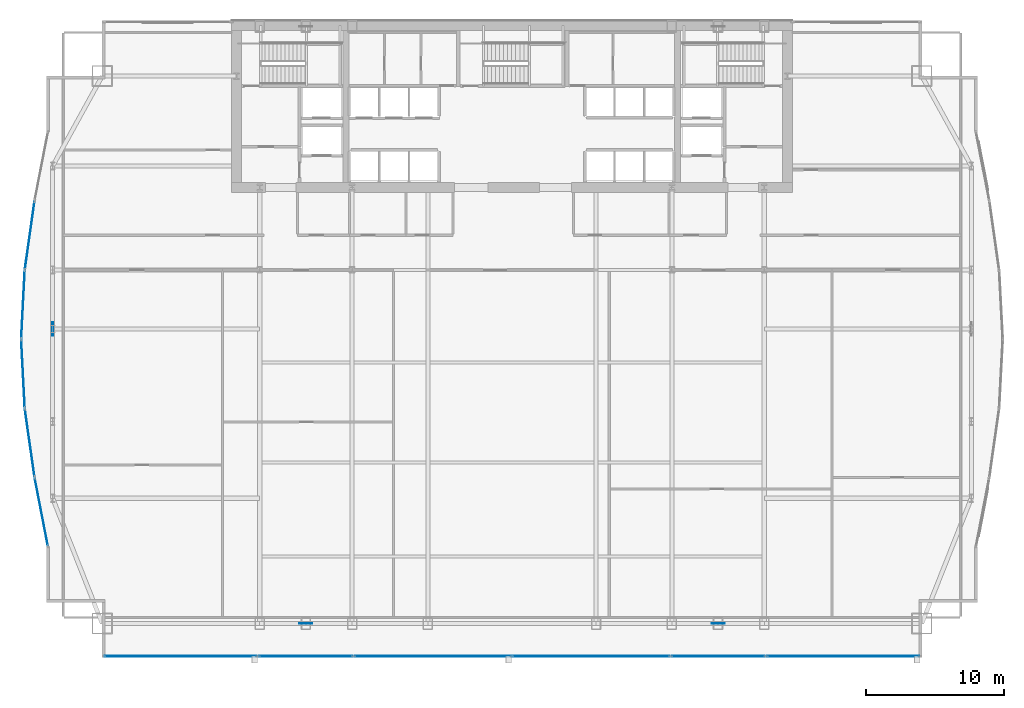
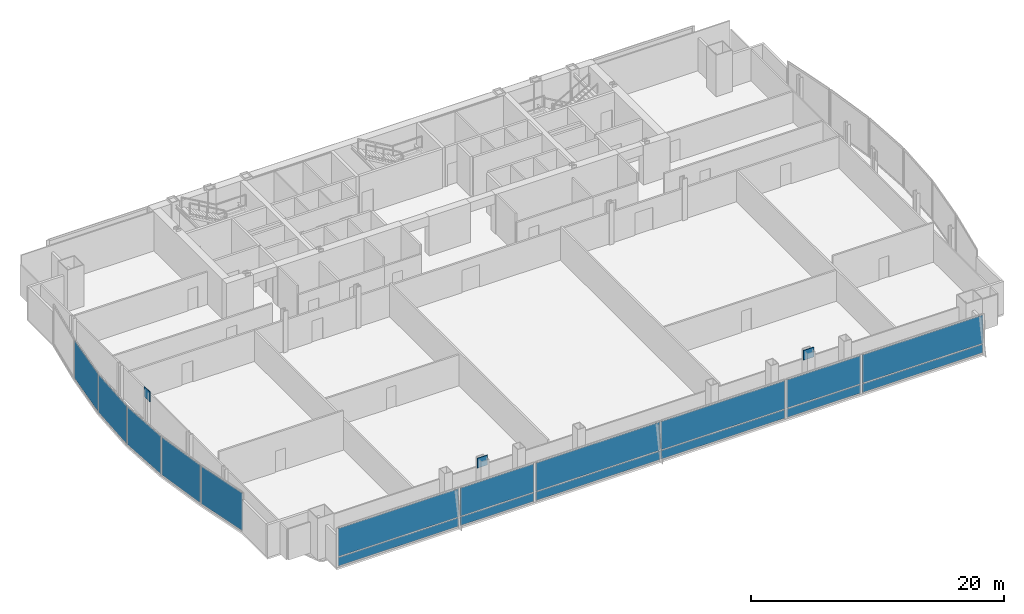
# One storey, part 25 of 34: 20 plates, 10 elements without a shape of their own.
"""IFC4 building model written with IfcOpenShell, lengths in metres."""

from ifc_helpers import new_model, si_unit, direction, frame, origin, origin_2d, place, context, subcontext, project, spatial, rectangle, extrude, material, layer, layer_set, type_object, element, aggregate, save


model = new_model("IFC4")

# Units and contexts
model_context = context("Model", 3, precision=1e-05, world=origin(), true_north=direction((0.0, 1.0)))
body_context = subcontext(model_context, "Body", "Model", "MODEL_VIEW")
ifc_project = project(units=[si_unit("LENGTHUNIT", "METRE"), si_unit("AREAUNIT", "SQUARE_METRE"), si_unit("VOLUMEUNIT", "CUBIC_METRE"), si_unit("PLANEANGLEUNIT", "RADIAN"), si_unit("MASSUNIT", "GRAM", prefix="KILO")], contexts=[model_context])

# Site, building, storey
site_placement = place(None, origin())
site = spatial("IfcSite", under=ifc_project, at=site_placement, CompositionType="ELEMENT")
building_placement = place(site_placement, origin())
building = spatial("IfcBuilding", under=site, at=building_placement, Name="Khoronbel Lancet Exchange", CompositionType="ELEMENT")
storey_placement = place(building_placement, frame((0.0, 0.0, 102.60009765625)))
storey = spatial("IfcBuildingStorey", under=building, at=storey_placement, Name="L24", CompositionType="ELEMENT", Elevation=102.60009765625)

# Curtain wall, plate
ifc_material_1 = material(Name="Low-E Solar Control Insulating Glass", Category="glass")
curtain_wall_type_1 = type_object("IfcCurtainWallType", Name="CW-4", PredefinedType="NOTDEFINED", material=ifc_material_1)
curtain_wall_1_placement = place(storey_placement, origin())
curtain_wall_1 = element("IfcCurtainWall", 1, at=curtain_wall_1_placement, inside=storey, type_object=curtain_wall_type_1, Name="Unitised curtain wall CW-L24-E05", PredefinedType="NOTDEFINED")
ifc_material_2 = material(Name="Bronze-Anodised Aluminium 6063-T6", Category="aluminium")
ifc_layer_1 = layer(ifc_material_2, 0.050048828125, Name="Bronze-Anodised Aluminium 6063-T6")
ifc_layer_set_1 = layer_set([ifc_layer_1], Name="Bronze-Anodised Aluminium 6063-T6")
plate_type_1 = type_object("IfcPlateType", Name="PLT-CSP1", PredefinedType="SHEET", material=ifc_layer_set_1)
plate_1_placement = place(storey_placement, frame((1.6142578125, 23.2119140625, 0.0849609375), z_axis=(0.0, 0.0, 1.0), x_axis=(-0.1406052742, 0.990065733609, 0.0)))
plate_1 = element("IfcPlate", 2, at=plate_1_placement, type_object=plate_type_1, Name="CW4 panel 1.1", PredefinedType="CURTAIN_PANEL", context=body_context, shape_type="SweptSolid", body=[
    extrude(rectangle(XDim=4.893798828125, YDim=0.0380859375, at=origin_2d()), origin(), (0.0, 0.0, 1.0), 3.6298828125),
])
aggregate(curtain_wall_1, [plate_1])

curtain_wall_2_placement = place(storey_placement, origin())
curtain_wall_2 = element("IfcCurtainWall", 3, at=curtain_wall_2_placement, inside=storey, type_object=curtain_wall_type_1, Name="Unitised curtain wall CW-L24-E06", PredefinedType="NOTDEFINED")
plate_2_placement = place(storey_placement, frame((1.1298828125, 28.204345703125, 0.0849609375), z_axis=(0.0, 0.0, 1.0), x_axis=(-0.051920340209, 0.998651229545, 0.0)))
plate_2 = element("IfcPlate", 4, at=plate_2_placement, type_object=plate_type_1, Name="CW4 panel 1.1", PredefinedType="CURTAIN_PANEL", context=body_context, shape_type="SweptSolid", body=[
    extrude(rectangle(XDim=4.84814453125, YDim=0.0380859375, at=origin_2d()), origin(), (0.0, 0.0, 1.0), 3.6298828125),
])
aggregate(curtain_wall_2, [plate_2])

curtain_wall_3_placement = place(storey_placement, origin())
curtain_wall_3 = element("IfcCurtainWall", 5, at=curtain_wall_3_placement, inside=storey, type_object=curtain_wall_type_1, Name="Unitised curtain wall CW-L24-E07", PredefinedType="NOTDEFINED")
plate_3_placement = place(storey_placement, frame((1.1298828125, 33.195556640625, 0.0849609375), z_axis=(0.0, 0.0, 1.0), x_axis=(0.051920340209, 0.998651229545, 0.0)))
plate_3 = element("IfcPlate", 6, at=plate_3_placement, type_object=plate_type_1, Name="CW4 panel 1.1", PredefinedType="CURTAIN_PANEL", context=body_context, shape_type="SweptSolid", body=[
    extrude(rectangle(XDim=4.84814453125, YDim=0.0380859375, at=origin_2d()), origin(), (0.0, 0.0, 1.0), 3.6298828125),
])
aggregate(curtain_wall_3, [plate_3])

curtain_wall_4_placement = place(storey_placement, origin())
curtain_wall_4 = element("IfcCurtainWall", 7, at=curtain_wall_4_placement, inside=storey, type_object=curtain_wall_type_1, Name="Unitised curtain wall CW-L24-E08", PredefinedType="NOTDEFINED")
plate_4_placement = place(storey_placement, frame((1.6142578125, 38.188232421875, 0.0849609375), z_axis=(0.0, 0.0, 1.0), x_axis=(0.1406052742, 0.990065733609, 0.0)))
plate_4 = element("IfcPlate", 8, at=plate_4_placement, type_object=plate_type_1, Name="CW4 panel 1.1", PredefinedType="CURTAIN_PANEL", context=body_context, shape_type="SweptSolid", body=[
    extrude(rectangle(XDim=4.893798828125, YDim=0.0380859375, at=origin_2d()), origin(), (0.0, 0.0, 1.0), 3.6298828125),
])
aggregate(curtain_wall_4, [plate_4])

# Curtain wall, plates
curtain_wall_type_2 = type_object("IfcCurtainWallType", Name="CW-2", PredefinedType="NOTDEFINED", material=ifc_material_1)
curtain_wall_5_placement = place(storey_placement, origin())
curtain_wall_5 = element("IfcCurtainWall", 9, at=curtain_wall_5_placement, inside=storey, type_object=curtain_wall_type_2, Name="Unitised curtain wall CW-L24-SWB", PredefinedType="NOTDEFINED")
plate_5_placement = place(storey_placement, frame((21.550048828125, 7.7900390625, 0.0849609375), z_axis=(0.0, 0.0, 1.0), x_axis=(1.0, 0.0, 0.0)))
plate_5 = element("IfcPlate", 10, at=plate_5_placement, type_object=plate_type_1, Name="CW2 panel 1.1", PredefinedType="CURTAIN_PANEL", context=body_context, shape_type="SweptSolid", body=[
    extrude(rectangle(XDim=6.72998046875, YDim=0.0380859375, at=origin_2d()), origin(), (0.0, 0.0, 1.0), 0.822509765625),
])
plate_6_placement = place(storey_placement, frame((21.550048828125, 7.7900390625, 0.99267578125), z_axis=(0.0, 0.0, 1.0), x_axis=(1.0, 0.0, 0.0)))
plate_6 = element("IfcPlate", 11, at=plate_6_placement, type_object=plate_type_1, Name="CW2 panel 1.2", PredefinedType="CURTAIN_PANEL", context=body_context, shape_type="SweptSolid", body=[
    extrude(rectangle(XDim=6.72998046875, YDim=0.0380859375, at=origin_2d()), origin(), (0.0, 0.0, 1.0), 2.722412109375),
])
aggregate(curtain_wall_5, [plate_5, plate_6])

curtain_wall_6_placement = place(storey_placement, origin())
curtain_wall_6 = element("IfcCurtainWall", 12, at=curtain_wall_6_placement, inside=storey, type_object=curtain_wall_type_2, Name="Unitised curtain wall CW-L24-SEB", PredefinedType="NOTDEFINED")
plate_7_placement = place(storey_placement, frame((51.35009765625, 7.7900390625, 0.0849609375), z_axis=(0.0, 0.0, 1.0), x_axis=(1.0, 0.0, 0.0)))
plate_7 = element("IfcPlate", 13, at=plate_7_placement, type_object=plate_type_1, Name="CW2 panel 1.1", PredefinedType="CURTAIN_PANEL", context=body_context, shape_type="SweptSolid", body=[
    extrude(rectangle(XDim=6.72998046875, YDim=0.0380859375, at=origin_2d()), origin(), (0.0, 0.0, 1.0), 0.822509765625),
])
plate_8_placement = place(storey_placement, frame((51.35009765625, 7.7900390625, 0.99267578125), z_axis=(0.0, 0.0, 1.0), x_axis=(1.0, 0.0, 0.0)))
plate_8 = element("IfcPlate", 14, at=plate_8_placement, type_object=plate_type_1, Name="CW2 panel 1.2", PredefinedType="CURTAIN_PANEL", context=body_context, shape_type="SweptSolid", body=[
    extrude(rectangle(XDim=6.72998046875, YDim=0.0380859375, at=origin_2d()), origin(), (0.0, 0.0, 1.0), 2.722412109375),
])
aggregate(curtain_wall_6, [plate_7, plate_8])

curtain_wall_7_placement = place(storey_placement, origin())
curtain_wall_7 = element("IfcCurtainWall", 15, at=curtain_wall_7_placement, inside=storey, type_object=curtain_wall_type_2, Name="Unitised curtain wall CW-L24-SWV", PredefinedType="NOTDEFINED")
ifc_layer_2 = layer(ifc_material_1, 0.035888671875, Name="Low-E Solar Control Insulating Glass")
ifc_layer_set_2 = layer_set([ifc_layer_2], Name="Low-E Solar Control Insulating Glass")
plate_type_2 = type_object("IfcPlateType", Name="PLT-CWP1", PredefinedType="CURTAIN_PANEL", material=ifc_layer_set_2)
plate_9_placement = place(storey_placement, frame((12.52001953125, 7.7900390625, 0.0849609375), z_axis=(0.0, 0.0, 1.0), x_axis=(1.0, 0.0, 0.0)))
plate_9 = element("IfcPlate", 16, at=plate_9_placement, type_object=plate_type_2, Name="CW2 panel 1.1", PredefinedType="CURTAIN_PANEL", context=body_context, shape_type="SweptSolid", body=[
    extrude(rectangle(XDim=10.989990234375, YDim=0.0380859375, at=origin_2d()), origin(), (0.0, 0.0, 1.0), 0.822509765625),
])
plate_10_placement = place(storey_placement, frame((12.52001953125, 7.7900390625, 0.99267578125), z_axis=(0.0, 0.0, 1.0), x_axis=(1.0, 0.0, 0.0)))
plate_10 = element("IfcPlate", 17, at=plate_10_placement, type_object=plate_type_2, Name="CW2 panel 1.2", PredefinedType="CURTAIN_PANEL", context=body_context, shape_type="SweptSolid", body=[
    extrude(rectangle(XDim=10.989990234375, YDim=0.0380859375, at=origin_2d()), origin(), (0.0, 0.0, 1.0), 2.722412109375),
])
aggregate(curtain_wall_7, [plate_9, plate_10])

curtain_wall_8_placement = place(storey_placement, origin())
curtain_wall_8 = element("IfcCurtainWall", 18, at=curtain_wall_8_placement, inside=storey, type_object=curtain_wall_type_2, Name="Unitised curtain wall CW-L24-SCV", PredefinedType="NOTDEFINED")
plate_11_placement = place(storey_placement, frame((30.746337890625, 7.7900390625, 0.0849609375), z_axis=(0.0, 0.0, 1.0), x_axis=(1.0, 0.0, 0.0)))
plate_11 = element("IfcPlate", 19, at=plate_11_placement, type_object=plate_type_2, Name="CW2 panel 1.1", PredefinedType="CURTAIN_PANEL", context=body_context, shape_type="SweptSolid", body=[
    extrude(rectangle(XDim=11.322509765625, YDim=0.0380859375, at=origin_2d()), origin(), (0.0, 0.0, 1.0), 0.822509765625),
])
plate_12_placement = place(storey_placement, frame((30.746337890625, 7.7900390625, 0.99267578125), z_axis=(0.0, 0.0, 1.0), x_axis=(1.0, 0.0, 0.0)))
plate_12 = element("IfcPlate", 20, at=plate_12_placement, type_object=plate_type_2, Name="CW2 panel 1.2", PredefinedType="CURTAIN_PANEL", context=body_context, shape_type="SweptSolid", body=[
    extrude(rectangle(XDim=11.322509765625, YDim=0.0380859375, at=origin_2d()), origin(), (0.0, 0.0, 1.0), 2.722412109375),
])
plate_13_placement = place(storey_placement, frame((42.15380859375, 7.7900390625, 0.0849609375), z_axis=(0.0, 0.0, 1.0), x_axis=(1.0, 0.0, 0.0)))
plate_13 = element("IfcPlate", 21, at=plate_13_placement, type_object=plate_type_2, Name="CW2 panel 2.1", PredefinedType="CURTAIN_PANEL", context=body_context, shape_type="SweptSolid", body=[
    extrude(rectangle(XDim=11.322509765625, YDim=0.0380859375, at=origin_2d()), origin(), (0.0, 0.0, 1.0), 0.822509765625),
])
plate_14_placement = place(storey_placement, frame((42.15380859375, 7.7900390625, 0.99267578125), z_axis=(0.0, 0.0, 1.0), x_axis=(1.0, 0.0, 0.0)))
plate_14 = element("IfcPlate", 22, at=plate_14_placement, type_object=plate_type_2, Name="CW2 panel 2.2", PredefinedType="CURTAIN_PANEL", context=body_context, shape_type="SweptSolid", body=[
    extrude(rectangle(XDim=11.322509765625, YDim=0.0380859375, at=origin_2d()), origin(), (0.0, 0.0, 1.0), 2.722412109375),
])
aggregate(curtain_wall_8, [plate_11, plate_12, plate_13, plate_14])

curtain_wall_9_placement = place(storey_placement, origin())
curtain_wall_9 = element("IfcCurtainWall", 23, at=curtain_wall_9_placement, inside=storey, type_object=curtain_wall_type_2, Name="Unitised curtain wall CW-L24-SEV", PredefinedType="NOTDEFINED")
plate_15_placement = place(storey_placement, frame((60.3798828125, 7.7900390625, 0.0849609375), z_axis=(0.0, 0.0, 1.0), x_axis=(1.0, 0.0, 0.0)))
plate_15 = element("IfcPlate", 24, at=plate_15_placement, type_object=plate_type_2, Name="CW2 panel 1.1", PredefinedType="CURTAIN_PANEL", context=body_context, shape_type="SweptSolid", body=[
    extrude(rectangle(XDim=10.989990234375, YDim=0.0380859375, at=origin_2d()), origin(), (0.0, 0.0, 1.0), 0.822509765625),
])
plate_16_placement = place(storey_placement, frame((60.3798828125, 7.7900390625, 0.99267578125), z_axis=(0.0, 0.0, 1.0), x_axis=(1.0, 0.0, 0.0)))
plate_16 = element("IfcPlate", 25, at=plate_16_placement, type_object=plate_type_2, Name="CW2 panel 1.2", PredefinedType="CURTAIN_PANEL", context=body_context, shape_type="SweptSolid", body=[
    extrude(rectangle(XDim=10.989990234375, YDim=0.0380859375, at=origin_2d()), origin(), (0.0, 0.0, 1.0), 2.722412109375),
])
aggregate(curtain_wall_9, [plate_15, plate_16])

# Curtain wall, plate
curtain_wall_10_placement = place(storey_placement, origin())
curtain_wall_10 = element("IfcCurtainWall", 26, at=curtain_wall_10_placement, inside=storey, type_object=curtain_wall_type_1, Name="Unitised curtain wall CW-L24-E04", PredefinedType="NOTDEFINED")
ifc_material_3 = material(Name="Ceramic-Fritted Laminated Insulating Glass", Category="glass")
ifc_layer_3 = layer(ifc_material_3, 0.0419921875, Name="Ceramic-Fritted Laminated Insulating Glass")
ifc_layer_set_3 = layer_set([ifc_layer_3], Name="Ceramic-Fritted Laminated Insulating Glass")
plate_type_3 = type_object("IfcPlateType", Name="PLT-CWP2", PredefinedType="CURTAIN_PANEL", material=ifc_layer_set_3)
plate_17_placement = place(storey_placement, frame((2.454345703125, 18.211669921875, 0.0849609375), z_axis=(0.0, 0.0, 1.0), x_axis=(-0.190426133595, 0.981701526761, 0.0)))
plate_17 = element("IfcPlate", 27, at=plate_17_placement, type_object=plate_type_3, Name="CW4 panel 1.1", PredefinedType="CURTAIN_PANEL", context=body_context, shape_type="SweptSolid", body=[
    extrude(rectangle(XDim=4.94970703125, YDim=0.0380859375, at=origin_2d()), origin(), (0.0, 0.0, 1.0), 3.6298828125),
])
aggregate(curtain_wall_10, [plate_17])

# Plates
ifc_material_4 = material(Name="Steel S460", Category="steel")
ifc_layer_4 = layer(ifc_material_4, 0.06005859375, Name="Steel S460")
ifc_layer_set_4 = layer_set([ifc_layer_4], Name="Steel S460")
plate_type_4 = type_object("IfcPlateType", Name="PLT-ND1", PredefinedType="USERDEFINED", material=ifc_layer_set_4)
for number, where, z_axis, x_axis, name in (
    (28, (21.5625, 10.14990234375, 3.1748046875), (0.0, 0.0, 1.0), (1.0, 0.0, 0.0), "ND1 perimeter brace node gusset T07-S-W"),
    (29, (51.33740234375, 10.14990234375, 3.1748046875), (0.0, 0.0, 1.0), (1.0, 0.0, 0.0), "ND1 perimeter brace node gusset T07-S-E"),
    (30, (3.27001953125, 31.425048828125, 3.1748046875), (0.0, 0.0, 1.0), (0.0, 1.0, 0.0), "ND1 perimeter brace node gusset T07-W-P"),
):
    element("IfcPlate", number, at=place(storey_placement, frame(where, z_axis=z_axis, x_axis=x_axis)), inside=storey, type_object=plate_type_4, Name=name, ObjectType="GUSSET_PLATE", PredefinedType="USERDEFINED", context=body_context, shape_type="SweptSolid", body=[
        extrude(rectangle(XDim=0.949951171875, YDim=0.06005859375, at=origin_2d()), origin(), (0.0, 0.0, 1.0), 0.949951171875),
    ])

save(model, "model.ifc")
